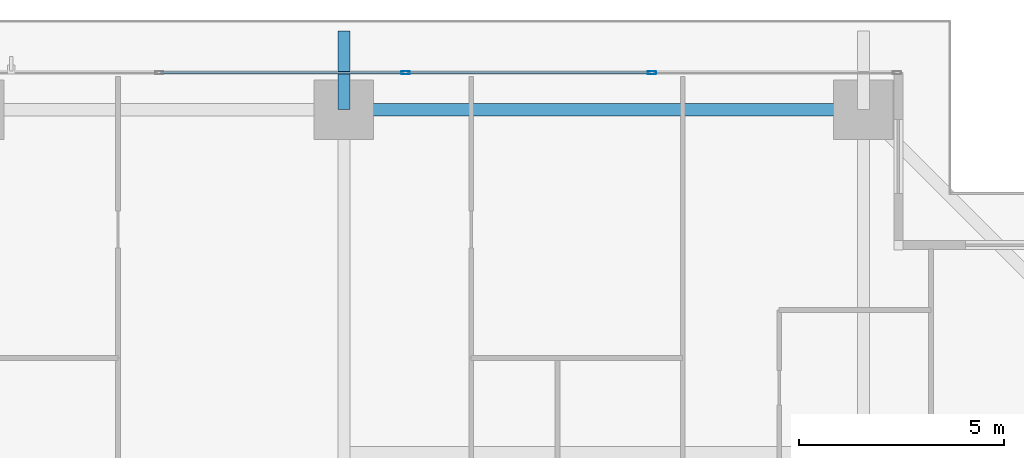
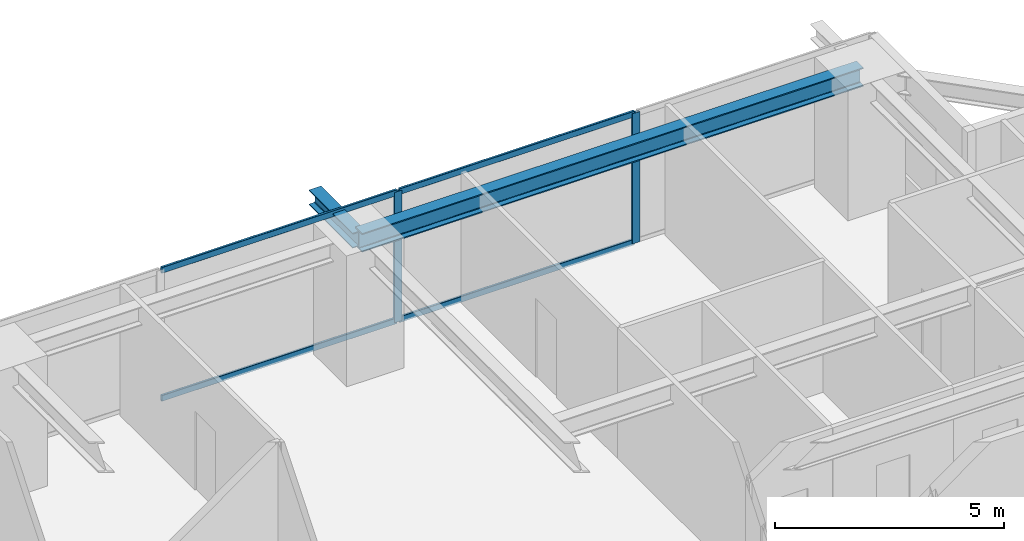
# One storey, part 24 of 41: 6 members, 2 beams, 1 element without a shape of its own.
"""IFC4 building model written with IfcOpenShell, lengths in metres."""

from ifc_helpers import new_model, si_unit, direction, frame, origin, origin_2d, place, context, subcontext, project, spatial, hollow_rectangle, i_section, extrude, source, transform, mapped, material, layer, layer_set, material_profile, profile_set, type_object, element, aggregate, save


model = new_model("IFC4")

# Units and contexts
model_context = context("Model", 3, precision=1e-05, world=origin(), true_north=direction((0.0, 1.0)))
body_context = subcontext(model_context, "Body", "Model", "MODEL_VIEW")
ifc_project = project(units=[si_unit("LENGTHUNIT", "METRE"), si_unit("AREAUNIT", "SQUARE_METRE"), si_unit("VOLUMEUNIT", "CUBIC_METRE"), si_unit("PLANEANGLEUNIT", "RADIAN"), si_unit("MASSUNIT", "GRAM", prefix="KILO")], contexts=[model_context])

# Site, building, storey
site_placement = place(None, origin())
site = spatial("IfcSite", under=ifc_project, at=site_placement, CompositionType="ELEMENT")
building_placement = place(site_placement, origin())
building = spatial("IfcBuilding", under=site, at=building_placement, Name="Serunith Strait Residences", CompositionType="ELEMENT")
storey_placement = place(building_placement, frame((0.0, 0.0, 75.449951171875)))
storey = spatial("IfcBuildingStorey", under=building, at=storey_placement, Name="L18", CompositionType="ELEMENT", Elevation=75.449951171875)

# Beams
ifc_material_1 = material(Name="Steel S355J2", Category="steel")
ifc_material_profile_1 = material_profile(ifc_material_1, i_section(OverallWidth=0.300048828125, OverallDepth=0.5, WebThickness=0.014404296875, FlangeThickness=0.028076171875, FilletRadius=0.027099609375, at=origin_2d()), Name="HEB 500")
ifc_profile_set_1 = profile_set([ifc_material_profile_1], Name="Steel S355J2")
beam_type_1 = type_object("IfcBeamType", Name="BM-HEB500", PredefinedType="BEAM", material=ifc_profile_set_1)
shared_shape_1 = source(origin(), body_context, "Body", "SweptSolid", [
    extrude(i_section(OverallWidth=0.300048828125, OverallDepth=0.5, WebThickness=0.014404296875, FlangeThickness=0.028076171875, FilletRadius=0.027099609375, at=origin_2d()), origin(), (0.0, 0.0, 1.0), 12.650146484375),
])
beam_1_placement = place(storey_placement, frame((49.550048828125, 49.300048828125, 3.237060546875), z_axis=(-1.0, 0.0, 0.0), x_axis=(0.0, -1.0, 0.0)))
element("IfcBeam", 1, at=beam_1_placement, inside=storey, type_object=beam_type_1, Name="L18 Perimeter Ring Beam 09", PredefinedType="BEAM", context=body_context, shape_type="MappedRepresentation", body=[
    mapped(shared_shape_1, transform((0.0, 0.0, 0.0), scale=1.0)),
])
ifc_material_profile_2 = material_profile(ifc_material_1, i_section(OverallWidth=0.300048828125, OverallDepth=0.39990234375, WebThickness=0.013427734375, FlangeThickness=0.02392578125, FilletRadius=0.027099609375, at=origin_2d()), Name="HEB 400")
ifc_profile_set_2 = profile_set([ifc_material_profile_2], Name="Steel S355J2")
beam_type_2 = type_object("IfcBeamType", Name="BM-HEB400", PredefinedType="BEAM", material=ifc_profile_set_2)
shared_shape_2 = source(origin(), body_context, "Body", "SweptSolid", [
    extrude(i_section(OverallWidth=0.300048828125, OverallDepth=0.39990234375, WebThickness=0.013427734375, FlangeThickness=0.02392578125, FilletRadius=0.027099609375, at=origin_2d()), origin(), (0.0, 0.0, 1.0), 1.909912109375),
])
beam_2_placement = place(storey_placement, frame((36.89990234375, 49.300048828125, 3.257080078125), z_axis=(0.0, 1.0, 0.0), x_axis=(-1.0, 0.0, 0.0)))
element("IfcBeam", 2, at=beam_2_placement, inside=storey, type_object=beam_type_2, Name="L19 Cantilevered Balcony Rib TC-N3", PredefinedType="BEAM", context=body_context, shape_type="MappedRepresentation", body=[
    mapped(shared_shape_2, transform((0.0, 0.0, 0.0), scale=1.0)),
])

# Curtain wall, members
ifc_material_2 = material(Name="Pale-Champagne Anodised Aluminium", Category="aluminium")
ifc_layer = layer(ifc_material_2, 0.199951171875, Name="Pale-Champagne Anodised Aluminium")
ifc_layer_set = layer_set([ifc_layer], Name="Pale-Champagne Anodised Aluminium")
curtain_wall_type = type_object("IfcCurtainWallType", Name="CW-SYS1", PredefinedType="NOTDEFINED", material=ifc_layer_set)
curtain_wall_placement = place(storey_placement, origin())
curtain_wall = element("IfcCurtainWall", 3, at=curtain_wall_placement, inside=storey, type_object=curtain_wall_type, Name="L18 N Unitised Fritted Curtain Wall", PredefinedType="NOTDEFINED")
ifc_material_profile_3 = material_profile(ifc_material_2, hollow_rectangle(XDim=0.070068359375, YDim=0.199951171875, WallThickness=0.00390625, InnerFilletRadius=0.006103515625, OuterFilletRadius=0.010009765625, at=origin_2d()), Name="ALU 200x70x4")
ifc_profile_set_3 = profile_set([ifc_material_profile_3], Name="Pale-Champagne Anodised Aluminium")
member_type_1 = type_object("IfcMemberType", Name="CW-SYS1-MULL", PredefinedType="MULLION", material=ifc_profile_set_3)
shared_shape_3 = source(origin(), body_context, "Body", "SweptSolid", [
    extrude(hollow_rectangle(XDim=0.070068359375, YDim=0.199951171875, WallThickness=0.00390625, InnerFilletRadius=0.006103515625, OuterFilletRadius=0.010009765625, at=origin_2d()), origin(), (0.0, 0.0, 1.0), 3.47509765625),
])
member_1_placement = place(storey_placement, frame((44.39990234375, 50.199951171875, 0.0), z_axis=(0.0, 0.0, 1.0), x_axis=(0.0, -1.0, 0.0)))
member_1 = element("IfcMember", 4, at=member_1_placement, type_object=member_type_1, Name="CW-1 mullion 2", PredefinedType="MULLION", context=body_context, shape_type="MappedRepresentation", body=[
    mapped(shared_shape_3, transform((0.0, 0.0, 0.0), scale=1.0)),
])
member_2_placement = place(storey_placement, frame((38.39990234375, 50.199951171875, 0.0), z_axis=(0.0, 0.0, 1.0), x_axis=(0.0, -1.0, 0.0)))
member_2 = element("IfcMember", 5, at=member_2_placement, type_object=member_type_1, Name="CW-1 mullion 3", PredefinedType="MULLION", context=body_context, shape_type="MappedRepresentation", body=[
    mapped(shared_shape_3, transform((0.0, 0.0, 0.0), scale=1.0)),
])
ifc_material_profile_4 = material_profile(ifc_material_2, hollow_rectangle(XDim=0.06005859375, YDim=0.159912109375, WallThickness=0.00341796875, InnerFilletRadius=0.00537109375, OuterFilletRadius=0.0087890625, at=origin_2d()), Name="ALU 160x60x3.5")
ifc_profile_set_4 = profile_set([ifc_material_profile_4], Name="Pale-Champagne Anodised Aluminium")
member_type_2 = type_object("IfcMemberType", Name="CW-SYS1-TRAN", PredefinedType="USERDEFINED", material=ifc_profile_set_4)
shared_shape_4 = source(origin(), body_context, "Body", "SweptSolid", [
    extrude(hollow_rectangle(XDim=0.06005859375, YDim=0.159912109375, WallThickness=0.00341796875, InnerFilletRadius=0.00537109375, OuterFilletRadius=0.0087890625, at=origin_2d()), origin(), (0.0, 0.0, 1.0), 5.929931640625),
])
member_3_placement = place(storey_placement, frame((44.364990234375, 50.199951171875, 0.030029296875), z_axis=(-1.0, 0.0, 0.0), x_axis=(0.0, -1.0, 0.0)))
member_3 = element("IfcMember", 6, at=member_3_placement, type_object=member_type_2, Name="CW-1 transom 2.1", ObjectType="TRANSOM", PredefinedType="USERDEFINED", context=body_context, shape_type="MappedRepresentation", body=[
    mapped(shared_shape_4, transform((0.0, 0.0, 0.0), scale=1.0)),
])
member_4_placement = place(storey_placement, frame((44.364990234375, 50.199951171875, 3.445068359375), z_axis=(-1.0, 0.0, 0.0), x_axis=(0.0, -1.0, 0.0)))
member_4 = element("IfcMember", 7, at=member_4_placement, type_object=member_type_2, Name="CW-1 transom 2.2", ObjectType="TRANSOM", PredefinedType="USERDEFINED", context=body_context, shape_type="MappedRepresentation", body=[
    mapped(shared_shape_4, transform((0.0, 0.0, 0.0), scale=1.0)),
])
member_5_placement = place(storey_placement, frame((38.364990234375, 50.199951171875, 0.030029296875), z_axis=(-1.0, 0.0, 0.0), x_axis=(0.0, -1.0, 0.0)))
member_5 = element("IfcMember", 8, at=member_5_placement, type_object=member_type_2, Name="CW-1 transom 3.1", ObjectType="TRANSOM", PredefinedType="USERDEFINED", context=body_context, shape_type="MappedRepresentation", body=[
    mapped(shared_shape_4, transform((0.0, 0.0, 0.0), scale=1.0)),
])
member_6_placement = place(storey_placement, frame((38.364990234375, 50.199951171875, 3.445068359375), z_axis=(-1.0, 0.0, 0.0), x_axis=(0.0, -1.0, 0.0)))
member_6 = element("IfcMember", 9, at=member_6_placement, type_object=member_type_2, Name="CW-1 transom 3.2", ObjectType="TRANSOM", PredefinedType="USERDEFINED", context=body_context, shape_type="MappedRepresentation", body=[
    mapped(shared_shape_4, transform((0.0, 0.0, 0.0), scale=1.0)),
])
aggregate(curtain_wall, [member_1, member_2, member_3, member_4, member_5, member_6])

save(model, "model.ifc")
